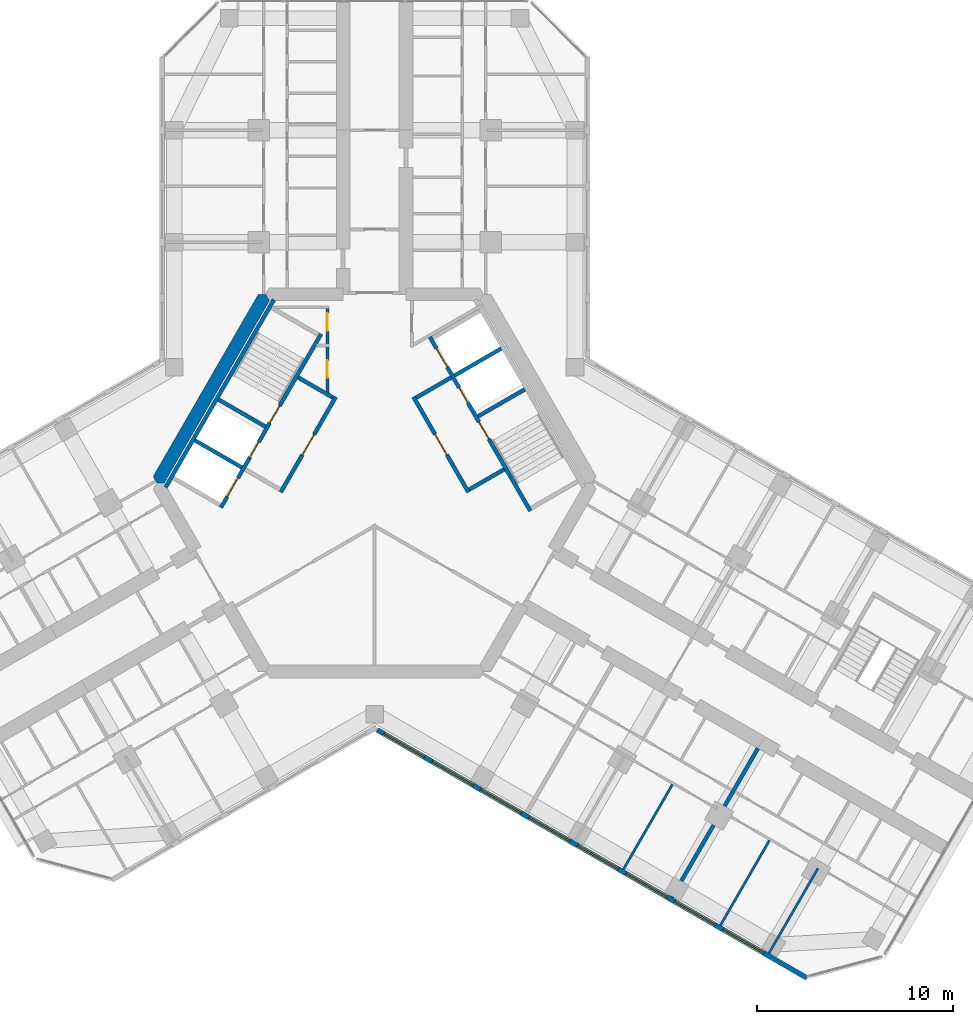
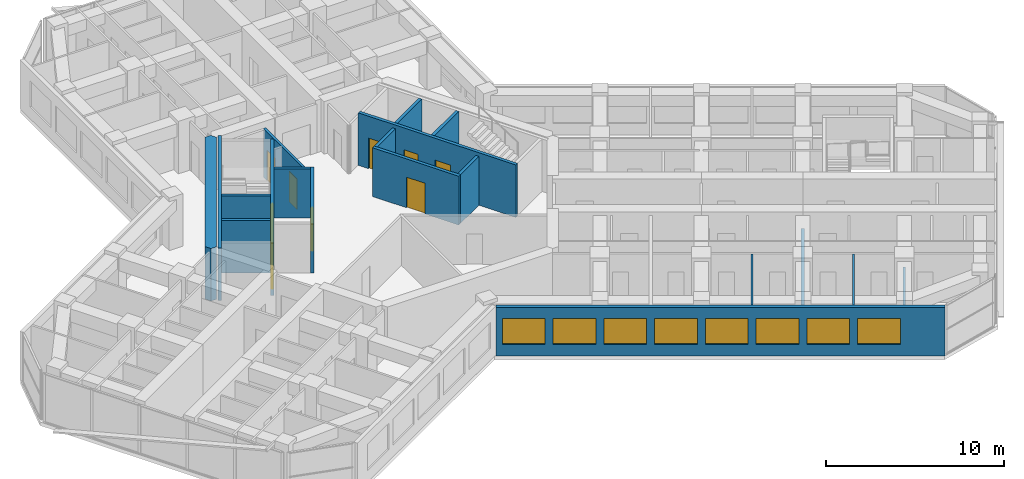
# One storey, part 10 of 16: 19 walls, 10 doors, 8 windows, 18 openings.
"""IFC4 building model written with IfcOpenShell, lengths in metres."""

import ifcopenshell
import ifcopenshell.guid

model = None  # the IFC model being written
_history = None  # IfcOwnerHistory: only IFC2X3 demands one
_inside = {}  # id of a spatial element -> (the spatial element, [elements in it])
_under = {}  # id of a project, library or spatial element -> (it, [spatial elements below it])
_declared = {}  # id of a project -> (the project, [libraries it declares])
_typed = {}  # id of a type object -> (the type object, [elements of that type])
_made_of = {}  # id of a material, layer set ... -> (it, [elements and type objects made of it])


def new_model(schema):
    """Start an empty IFC model of exactly this schema.

    Asked for "IFC4X3", IfcOpenShell would pick the latest addendum, in which some entities
    have other attributes; the version numbers below select the first issue.
    IFC2X3 requires an IfcOwnerHistory on every rooted entity: one is made here for all.
    """
    global model, _history
    if schema == "IFC4X3":
        model = ifcopenshell.file(schema_version=(4, 3, 0, 0))
    else:
        model = ifcopenshell.file(schema=schema)
    _inside.clear()
    _under.clear()
    _declared.clear()
    _typed.clear()
    _made_of.clear()
    _history = None
    if model.schema == "IFC2X3":
        org = make("IfcOrganization", Name="unknown")
        user = make(
            "IfcPersonAndOrganization",
            ThePerson=make("IfcPerson", FamilyName="unknown"),
            TheOrganization=org,
        )
        app = make(
            "IfcApplication",
            ApplicationDeveloper=org,
            Version="unknown",
            ApplicationFullName="unknown",
            ApplicationIdentifier="unknown",
        )
        _history = make(
            "IfcOwnerHistory",
            OwningUser=user,
            OwningApplication=app,
            ChangeAction="ADDED",
            CreationDate=0,
        )
    return model


def make(cls, **values):
    """One entity of the class cls with the attributes given. An attribute that is None is left unset."""
    return model.create_entity(
        cls, **{name: value for name, value in values.items() if value is not None}
    )


def rooted(cls, **values):
    """An entity with a GlobalId (a new one), such as an element, a storey or a relation."""
    return make(cls, GlobalId=ifcopenshell.guid.new(), OwnerHistory=_history, **values)


def si_unit(unit_type, name, prefix=None):
    """IfcSIUnit, for example si_unit("LENGTHUNIT", "METRE", prefix="MILLI")."""
    return make("IfcSIUnit", UnitType=unit_type, Prefix=prefix, Name=name)


def assignment(units):
    """IfcUnitAssignment: the units of a project."""
    return None if units is None else make("IfcUnitAssignment", Units=units)


def point(xyz):
    """IfcCartesianPoint."""
    return None if xyz is None else make("IfcCartesianPoint", Coordinates=xyz)


def direction(xyz):
    """IfcDirection."""
    return None if xyz is None else make("IfcDirection", DirectionRatios=xyz)


def frame(location, z_axis=None, x_axis=None):
    """IfcAxis2Placement3D, a coordinate frame: its origin and axes. An axis left out is left unset."""
    return make(
        "IfcAxis2Placement3D",
        Location=point(location),
        Axis=direction(z_axis),
        RefDirection=direction(x_axis),
    )


def frame_2d(location, x_axis=None):
    """IfcAxis2Placement2D, a coordinate frame in the plane: its origin and x axis."""
    return make(
        "IfcAxis2Placement2D", Location=point(location), RefDirection=direction(x_axis)
    )


def origin():
    """The frame at (0, 0, 0) with its axes left unset."""
    return frame((0.0, 0.0, 0.0))


def place(relative_to, where):
    """IfcLocalPlacement: puts the frame where relative to a parent placement (None: the world)."""
    return make(
        "IfcLocalPlacement", PlacementRelTo=relative_to, RelativePlacement=where
    )


def context(
    kind, dimensions, precision=None, world=None, true_north=None, identifier=None
):
    """IfcGeometricRepresentationContext, for example the 3D "Model" context."""
    return make(
        "IfcGeometricRepresentationContext",
        ContextIdentifier=identifier,
        ContextType=kind,
        CoordinateSpaceDimension=dimensions,
        Precision=precision,
        WorldCoordinateSystem=world,
        TrueNorth=true_north,
    )


def subcontext(parent, identifier, kind, view, scale=None):
    """IfcGeometricRepresentationSubContext, for example "Body" below "Model"."""
    return make(
        "IfcGeometricRepresentationSubContext",
        ContextIdentifier=identifier,
        ContextType=kind,
        ParentContext=parent,
        TargetScale=scale,
        TargetView=view,
    )


def project(units=None, contexts=None):
    """IfcProject with its units and contexts."""
    return rooted(
        "IfcProject",
        Name="project",
        RepresentationContexts=contexts,
        UnitsInContext=assignment(units),
    )


def spatial(cls, under=None, at=None, **own):
    """A site, building, storey or space (cls), placed at a placement, below another one or the project."""
    s = rooted(cls, ObjectPlacement=at, **own)
    if under is not None:
        _under.setdefault(under.id(), (under, []))[1].append(s)
    return s


def polyline(points):
    """IfcPolyline through the points."""
    return make("IfcPolyline", Points=[point(p) for p in points])


def profile(cls, at=None, kind="AREA", **sizes):
    """A parametric profile (cls). Its sizes go by their IFC names, for example OverallWidth=200.0."""
    return make(cls, ProfileType=kind, Position=at, **sizes)


def rectangle(**sizes):
    """IfcRectangleProfileDef."""
    return profile("IfcRectangleProfileDef", **sizes)


def outline(outer, holes=None, kind="AREA"):
    """IfcArbitraryClosedProfileDef: a profile drawn as a closed curve; with holes, ...WithVoids."""
    if holes is None:
        return make("IfcArbitraryClosedProfileDef", ProfileType=kind, OuterCurve=outer)
    return make(
        "IfcArbitraryProfileDefWithVoids",
        ProfileType=kind,
        OuterCurve=outer,
        InnerCurves=holes,
    )


def extrude(swept, where, along, depth):
    """IfcExtrudedAreaSolid: the profile swept, set in the frame where, extruded along a direction by depth."""
    return make(
        "IfcExtrudedAreaSolid",
        SweptArea=swept,
        Position=where,
        ExtrudedDirection=direction(along),
        Depth=depth,
    )


def shape(context_of_items, identifier, shape_type, items):
    """IfcShapeRepresentation: the items that make up one representation, for example the "Body"."""
    return make(
        "IfcShapeRepresentation",
        ContextOfItems=context_of_items,
        RepresentationIdentifier=identifier,
        RepresentationType=shape_type,
        Items=items,
    )


def material(Name=None, Category=None):
    """IfcMaterial."""
    return make("IfcMaterial", Name=Name, Category=Category)


def layer(
    of_material, thickness, ventilated=None, Name=None, Category=None, Priority=None
):
    """IfcMaterialLayer: one layer of a wall or slab, of a material (None: an air gap)."""
    return make(
        "IfcMaterialLayer",
        Material=of_material,
        LayerThickness=thickness,
        IsVentilated=ventilated,
        Name=Name,
        Category=Category,
        Priority=Priority,
    )


def layer_set(layers, Name=None):
    """IfcMaterialLayerSet."""
    return make("IfcMaterialLayerSet", MaterialLayers=layers, LayerSetName=Name)


def made_of(thing, what):
    """Note that an element or type object is made of a material, layer set ...; save() writes the relation."""
    if what is not None:
        _made_of.setdefault(what.id(), (what, []))[1].append(thing)
    return thing


def type_object(cls, material=None, **own):
    """A type object (cls), such as IfcWallType, which elements share."""
    return made_of(rooted(cls, **own), material)


def element(
    cls,
    number,
    at=None,
    inside=None,
    cuts=None,
    type_object=None,
    material=None,
    context=None,
    identifier="Body",
    shape_type=None,
    held_by="IfcProductDefinitionShape",
    body=None,
    shapes=None,
    **own,
):
    """One element of the class cls, such as IfcWall. Its Tag is "e" and its number.

    at: its placement. inside: the storey or other place that contains it. cuts: it is an
    opening in that element (IfcRelVoidsElement). A single representation is given by context,
    identifier, shape_type and body (its items); several are given by shapes. held_by: the class
    of the entity that holds the representations. save() writes the other relations.
    """
    e = rooted(cls, Tag="e%d" % number, ObjectPlacement=at, **own)
    if body is not None:
        shapes = [shape(context, identifier, shape_type, body)]
    if shapes is not None:
        e.Representation = make(held_by, Representations=shapes)
    if inside is not None:
        _inside.setdefault(inside.id(), (inside, []))[1].append(e)
    if cuts is not None:
        rooted(
            "IfcRelVoidsElement", RelatingBuildingElement=cuts, RelatedOpeningElement=e
        )
    if type_object is not None:
        _typed.setdefault(type_object.id(), (type_object, []))[1].append(e)
    return made_of(e, material)


def fill(opening, filler):
    """IfcRelFillsElement: the door or window that sits in an opening."""
    return rooted(
        "IfcRelFillsElement",
        RelatingOpeningElement=opening,
        RelatedBuildingElement=filler,
    )


def aggregate(whole, parts):
    """IfcRelAggregates: a whole, such as a stair, and the parts it consists of."""
    return rooted("IfcRelAggregates", RelatingObject=whole, RelatedObjects=parts)


def save(model, path):
    """Write the relations noted so far, then the file.

    IfcRelAggregates (storeys below a building ...), IfcRelContainedInSpatialStructure (elements
    in a storey), IfcRelDefinesByType, IfcRelAssociatesMaterial and IfcRelDeclares: one each for
    every whole, place, type object, material and project.
    """
    for whole, parts in _under.values():
        aggregate(whole, parts)
    for where, things in _inside.values():
        rooted(
            "IfcRelContainedInSpatialStructure",
            RelatedElements=things,
            RelatingStructure=where,
        )
    for kind, things in _typed.values():
        rooted("IfcRelDefinesByType", RelatedObjects=things, RelatingType=kind)
    for what, things in _made_of.values():
        rooted("IfcRelAssociatesMaterial", RelatedObjects=things, RelatingMaterial=what)
    for by, libraries in _declared.values():
        rooted("IfcRelDeclares", RelatingContext=by, RelatedDefinitions=libraries)
    model.write(path)


model = new_model("IFC4")

# Units and contexts
model_context = context("Model", 3, precision=1e-05, world=origin(), true_north=direction((0.0, 1.0)))
body_context = subcontext(model_context, "Body", "Model", "MODEL_VIEW")
ifc_project = project(units=[si_unit("LENGTHUNIT", "METRE"), si_unit("AREAUNIT", "SQUARE_METRE"), si_unit("VOLUMEUNIT", "CUBIC_METRE"), si_unit("PLANEANGLEUNIT", "RADIAN"), si_unit("MASSUNIT", "GRAM", prefix="KILO")], contexts=[model_context])

# Site, building, storey
site_placement = place(None, origin())
site = spatial("IfcSite", under=ifc_project, at=site_placement, CompositionType="ELEMENT")
building_placement = place(site_placement, origin())
building = spatial("IfcBuilding", under=site, at=building_placement, Name="Kosmar Iwan School Tower", CompositionType="ELEMENT")
storey_placement = place(building_placement, frame((0.0, 0.0, 222.60009765625)))
storey = spatial("IfcBuildingStorey", under=building, at=storey_placement, Name="L56", CompositionType="ELEMENT", Elevation=222.60009765625)

# Wall, openings, doors
ifc_material_1 = material(Name="Gypsum board on steel studs, fire-rated", Category="steel")
ifc_layer_1 = layer(ifc_material_1, 0.14990234375)
ifc_layer_set_1 = layer_set([ifc_layer_1], Name="Core room partition 150")
wall_type_1 = type_object("IfcWallType", Name="Core room partition 150", PredefinedType="PARTITIONING", material=ifc_layer_set_1)
wall_1_placement = place(storey_placement, frame((-2.39990234375, 9.014892578125, 0.0), z_axis=(0.0, 0.0, 1.0), x_axis=(0.0, -1.0, 0.0)))
wall_1 = element("IfcWall", 1, at=wall_1_placement, inside=storey, type_object=wall_type_1, Name="Core room partition L56-CW1", PredefinedType="PARTITIONING", context=body_context, shape_type="SweptSolid", body=[
    extrude(rectangle(XDim=4.484130859375, YDim=0.14990234375, at=frame_2d((2.2421875, 0.0))), origin(), (0.0, 0.0, 1.0), 3.349853515625),
])
opening_1_placement = place(wall_1_placement, frame((0.375, 0.0, 0.0)))
opening_1 = element("IfcOpeningElement", 2, at=opening_1_placement, cuts=wall_1, Name="Opening D14", PredefinedType="OPENING", context=body_context, shape_type="SweptSolid", body=[
    extrude(rectangle(XDim=0.89990234375, YDim=2.10009765625, at=frame_2d((0.449951171875, 1.050048828125))), frame((0.0, 0.0869140625, 0.0), z_axis=(0.0, -1.0, 0.0), x_axis=(1.0, 0.0, 0.0)), (0.0, 0.0, 1.0), 0.173828125),
])
opening_2_placement = place(wall_1_placement, frame((2.77490234375, 0.0, 0.0)))
opening_2 = element("IfcOpeningElement", 3, at=opening_2_placement, cuts=wall_1, Name="Opening D14", PredefinedType="OPENING", context=body_context, shape_type="SweptSolid", body=[
    extrude(rectangle(XDim=0.89990234375, YDim=2.10009765625, at=frame_2d((0.449951171875, 1.050048828125))), frame((0.0, 0.0869140625, 0.0), z_axis=(0.0, -1.0, 0.0), x_axis=(1.0, 0.0, 0.0)), (0.0, 0.0, 1.0), 0.173828125),
])
ifc_material_2 = material(Name="Timber fire door in steel frame", Category="steel")
door_type_1 = type_object("IfcDoorType", Name="Core room door 900x2100", OperationType="SINGLE_SWING_LEFT", PredefinedType="DOOR", material=ifc_material_2)
door_1_placement = place(opening_1_placement, origin())
door_1 = element("IfcDoor", 4, at=door_1_placement, inside=storey, type_object=door_type_1, Name="Electrical riser and switch room door L56 1", OperationType="SINGLE_SWING_LEFT", OverallHeight=2.10009765625, OverallWidth=0.89990234375, PredefinedType="DOOR", context=body_context, shape_type="SweptSolid", body=[
    extrude(rectangle(XDim=0.89990234375, YDim=2.10009765625, at=frame_2d((0.449951171875, 1.050048828125))), frame((0.0, 0.02490234375, 0.0), z_axis=(0.0, -1.0, 0.0), x_axis=(1.0, 0.0, 0.0)), (0.0, 0.0, 1.0), 0.050048828125),
])
fill(opening_1, door_1)
door_2_placement = place(opening_2_placement, origin())
door_2 = element("IfcDoor", 5, at=door_2_placement, inside=storey, type_object=door_type_1, Name="Plumbing and wet riser door L56 2", OperationType="SINGLE_SWING_RIGHT", OverallHeight=2.10009765625, OverallWidth=0.89990234375, PredefinedType="DOOR", context=body_context, shape_type="SweptSolid", body=[
    extrude(rectangle(XDim=0.89990234375, YDim=2.10009765625, at=frame_2d((0.449951171875, 1.050048828125))), frame((0.0, 0.02490234375, 0.0), z_axis=(0.0, -1.0, 0.0), x_axis=(1.0, 0.0, 0.0)), (0.0, 0.0, 1.0), 0.050048828125),
])
fill(opening_2, door_2)

# Walls
ifc_material_3 = material(Name="Concrete C50/60", Category="concrete")
ifc_layer_2 = layer(ifc_material_3, 0.64990234375)
ifc_layer_set_2 = layer_set([ifc_layer_2], Name="Core wall 650")
wall_type_2 = type_object("IfcWallType", Name="Core wall 650", PredefinedType="SHEAR", material=ifc_layer_set_2)
wall_2_placement = place(storey_placement, origin())
element("IfcWall", 6, at=wall_2_placement, inside=storey, type_object=wall_type_2, Name="Core wall F150", PredefinedType="SHEAR", context=body_context, shape_type="SweptSolid", body=[
    extrude(outline(polyline([(-11.085205078125, 0.0), (-10.7099609375, 0.0), (-5.35498046875, 9.27490234375), (-5.54248046875, 9.60009765625), (-5.917724609375, 9.60009765625), (-11.272705078125, 0.324951171875), (-11.085205078125, 0.0)])), origin(), (0.0, 0.0, 1.0), 3.599853515625),
])
ifc_material_4 = material(Name="Gypsum board on steel studs", Category="steel")
ifc_layer_3 = layer(ifc_material_4, 0.1201171875)
ifc_layer_set_3 = layer_set([ifc_layer_3], Name="Dwelling partition 120")
wall_type_3 = type_object("IfcWallType", Name="Dwelling partition 120", PredefinedType="PARTITIONING", material=ifc_layer_set_3)
for number, where, z_axis, x_axis, name in (
    (7, (15.158447265625, -15.344970703125, 0.0), (0.0, 0.0, 1.0), (-0.500011847778, -0.866018563358, 0.0), "Partition L56-CR2-X2"),
    (8, (20.0947265625, -18.195068359375, 0.0), (0.0, 0.0, 1.0), (-0.500011847778, -0.866018563358, 0.0), "Partition L56-CR3-X1"),
):
    element("IfcWall", number, at=place(storey_placement, frame(where, z_axis=z_axis, x_axis=x_axis)), inside=storey, type_object=wall_type_3, Name=name, PredefinedType="PARTITIONING", context=body_context, shape_type="SweptSolid", body=[
        extrude(rectangle(XDim=4.990234375, YDim=0.1201171875, at=frame_2d((2.4951171875, 0.0))), origin(), (0.0, 0.0, 1.0), 3.349853515625),
    ])
wall_3_placement = place(storey_placement, frame((22.562744140625, -19.6201171875, 0.0), z_axis=(0.0, 0.0, 1.0), x_axis=(-0.499996339024, -0.86602751744, 0.0)))
element("IfcWall", 9, at=wall_3_placement, inside=storey, type_object=wall_type_3, Name="Partition L56-CR3-X2", PredefinedType="PARTITIONING", context=body_context, shape_type="SweptSolid", body=[
    extrude(rectangle(XDim=4.98974609375, YDim=0.1201171875, at=frame_2d((2.494873046875, 0.0))), origin(), (0.0, 0.0, 1.0), 2.449951171875),
])

# Wall, openings, windows
ifc_material_5 = material(Name="Black aluminium rainscreen on insulated framing", Category="aluminium")
ifc_layer_4 = layer(ifc_material_5, 0.25)
ifc_layer_set_4 = layer_set([ifc_layer_4], Name="External wall rainscreen 250")
wall_type_4 = type_object("IfcWallType", Name="External wall rainscreen 250", PredefinedType="SOLIDWALL", material=ifc_layer_set_4)
wall_4_placement = place(storey_placement, frame((0.137939453125, -12.5791015625, 0.0), z_axis=(0.0, 0.0, 1.0), x_axis=(0.866023775649, -0.500002820003, 0.0)))
wall_4 = element("IfcWall", 10, at=wall_4_placement, inside=storey, type_object=wall_type_4, Name="External wall CR L56", PredefinedType="SOLIDWALL", context=body_context, shape_type="SweptSolid", body=[
    extrude(rectangle(XDim=25.226318359375, YDim=0.25, at=frame_2d((12.61328125, 0.0))), origin(), (0.0, 0.0, 1.0), 3.349853515625),
])
opening_3_placement = place(wall_4_placement, frame((0.365966796875, 0.0, 0.800048828125)))
opening_3 = element("IfcOpeningElement", 11, at=opening_3_placement, cuts=wall_4, Name="Opening W5", PredefinedType="OPENING", context=body_context, shape_type="SweptSolid", body=[
    extrude(rectangle(XDim=2.39990234375, YDim=1.800048828125, at=frame_2d((1.199951171875, 0.89990234375))), frame((0.0, 0.136962890625, 0.0), z_axis=(0.0, -1.0, 0.0), x_axis=(1.0, 0.0, 0.0)), (0.0, 0.0, 1.0), 0.27392578125),
])
opening_4_placement = place(wall_4_placement, frame((3.216064453125, 0.0, 0.800048828125)))
opening_4 = element("IfcOpeningElement", 12, at=opening_4_placement, cuts=wall_4, Name="Opening W5", PredefinedType="OPENING", context=body_context, shape_type="SweptSolid", body=[
    extrude(rectangle(XDim=2.39990234375, YDim=1.800048828125, at=frame_2d((1.199951171875, 0.89990234375))), frame((0.0, 0.136962890625, 0.0), z_axis=(0.0, -1.0, 0.0), x_axis=(1.0, 0.0, 0.0)), (0.0, 0.0, 1.0), 0.27392578125),
])
opening_5_placement = place(wall_4_placement, frame((6.06591796875, 0.0, 0.800048828125)))
opening_5 = element("IfcOpeningElement", 13, at=opening_5_placement, cuts=wall_4, Name="Opening W5", PredefinedType="OPENING", context=body_context, shape_type="SweptSolid", body=[
    extrude(rectangle(XDim=2.39990234375, YDim=1.800048828125, at=frame_2d((1.199951171875, 0.89990234375))), frame((0.0, 0.136962890625, 0.0), z_axis=(0.0, -1.0, 0.0), x_axis=(1.0, 0.0, 0.0)), (0.0, 0.0, 1.0), 0.27392578125),
])
opening_6_placement = place(wall_4_placement, frame((8.916015625, 0.0, 0.800048828125)))
opening_6 = element("IfcOpeningElement", 14, at=opening_6_placement, cuts=wall_4, Name="Opening W5", PredefinedType="OPENING", context=body_context, shape_type="SweptSolid", body=[
    extrude(rectangle(XDim=2.39990234375, YDim=1.800048828125, at=frame_2d((1.199951171875, 0.89990234375))), frame((0.0, 0.136962890625, 0.0), z_axis=(0.0, -1.0, 0.0), x_axis=(1.0, 0.0, 0.0)), (0.0, 0.0, 1.0), 0.27392578125),
])
opening_7_placement = place(wall_4_placement, frame((11.76611328125, 0.0, 0.800048828125)))
opening_7 = element("IfcOpeningElement", 15, at=opening_7_placement, cuts=wall_4, Name="Opening W5", PredefinedType="OPENING", context=body_context, shape_type="SweptSolid", body=[
    extrude(rectangle(XDim=2.39990234375, YDim=1.800048828125, at=frame_2d((1.199951171875, 0.89990234375))), frame((0.0, 0.136962890625, 0.0), z_axis=(0.0, -1.0, 0.0), x_axis=(1.0, 0.0, 0.0)), (0.0, 0.0, 1.0), 0.27392578125),
])
opening_8_placement = place(wall_4_placement, frame((14.615966796875, 0.0, 0.800048828125)))
opening_8 = element("IfcOpeningElement", 16, at=opening_8_placement, cuts=wall_4, Name="Opening W5", PredefinedType="OPENING", context=body_context, shape_type="SweptSolid", body=[
    extrude(rectangle(XDim=2.39990234375, YDim=1.800048828125, at=frame_2d((1.199951171875, 0.89990234375))), frame((0.0, 0.136962890625, 0.0), z_axis=(0.0, -1.0, 0.0), x_axis=(1.0, 0.0, 0.0)), (0.0, 0.0, 1.0), 0.27392578125),
])
opening_9_placement = place(wall_4_placement, frame((17.466064453125, 0.0, 0.800048828125)))
opening_9 = element("IfcOpeningElement", 17, at=opening_9_placement, cuts=wall_4, Name="Opening W5", PredefinedType="OPENING", context=body_context, shape_type="SweptSolid", body=[
    extrude(rectangle(XDim=2.39990234375, YDim=1.800048828125, at=frame_2d((1.199951171875, 0.89990234375))), frame((0.0, 0.136962890625, 0.0), z_axis=(0.0, -1.0, 0.0), x_axis=(1.0, 0.0, 0.0)), (0.0, 0.0, 1.0), 0.27392578125),
])
opening_10_placement = place(wall_4_placement, frame((20.31591796875, 0.0, 0.800048828125)))
opening_10 = element("IfcOpeningElement", 18, at=opening_10_placement, cuts=wall_4, Name="Opening W5", PredefinedType="OPENING", context=body_context, shape_type="SweptSolid", body=[
    extrude(rectangle(XDim=2.39990234375, YDim=1.800048828125, at=frame_2d((1.199951171875, 0.89990234375))), frame((0.0, 0.136962890625, 0.0), z_axis=(0.0, -1.0, 0.0), x_axis=(1.0, 0.0, 0.0)), (0.0, 0.0, 1.0), 0.27392578125),
])
ifc_material_6 = material(Name="Black aluminium frame with dark triple glazing", Category="aluminium")
window_type = type_object("IfcWindowType", Name="Window 2400x1800", PartitioningType="SINGLE_PANEL", PredefinedType="WINDOW", material=ifc_material_6)
window_1_placement = place(opening_3_placement, origin())
window_1 = element("IfcWindow", 19, at=window_1_placement, inside=storey, type_object=window_type, Name="Window CR L56 -1", OverallHeight=1.800048828125, OverallWidth=2.39990234375, PartitioningType="SINGLE_PANEL", PredefinedType="WINDOW", context=body_context, shape_type="SweptSolid", body=[
    extrude(rectangle(XDim=2.39990234375, YDim=1.800048828125, at=frame_2d((1.199951171875, 0.89990234375))), frame((0.0, 0.030029296875, 0.0), z_axis=(0.0, -1.0, 0.0), x_axis=(1.0, 0.0, 0.0)), (0.0, 0.0, 1.0), 0.06005859375),
])
fill(opening_3, window_1)
window_2_placement = place(opening_4_placement, origin())
window_2 = element("IfcWindow", 20, at=window_2_placement, inside=storey, type_object=window_type, Name="Window CR L56 0", OverallHeight=1.800048828125, OverallWidth=2.39990234375, PartitioningType="SINGLE_PANEL", PredefinedType="WINDOW", context=body_context, shape_type="SweptSolid", body=[
    extrude(rectangle(XDim=2.39990234375, YDim=1.800048828125, at=frame_2d((1.199951171875, 0.89990234375))), frame((0.0, 0.030029296875, 0.0), z_axis=(0.0, -1.0, 0.0), x_axis=(1.0, 0.0, 0.0)), (0.0, 0.0, 1.0), 0.06005859375),
])
fill(opening_4, window_2)
window_3_placement = place(opening_5_placement, origin())
window_3 = element("IfcWindow", 21, at=window_3_placement, inside=storey, type_object=window_type, Name="Window CR L56 1", OverallHeight=1.800048828125, OverallWidth=2.39990234375, PartitioningType="SINGLE_PANEL", PredefinedType="WINDOW", context=body_context, shape_type="SweptSolid", body=[
    extrude(rectangle(XDim=2.39990234375, YDim=1.800048828125, at=frame_2d((1.199951171875, 0.89990234375))), frame((0.0, 0.030029296875, 0.0), z_axis=(0.0, -1.0, 0.0), x_axis=(1.0, 0.0, 0.0)), (0.0, 0.0, 1.0), 0.06005859375),
])
fill(opening_5, window_3)
window_4_placement = place(opening_6_placement, origin())
window_4 = element("IfcWindow", 22, at=window_4_placement, inside=storey, type_object=window_type, Name="Window CR L56 2", OverallHeight=1.800048828125, OverallWidth=2.39990234375, PartitioningType="SINGLE_PANEL", PredefinedType="WINDOW", context=body_context, shape_type="SweptSolid", body=[
    extrude(rectangle(XDim=2.39990234375, YDim=1.800048828125, at=frame_2d((1.199951171875, 0.89990234375))), frame((0.0, 0.030029296875, 0.0), z_axis=(0.0, -1.0, 0.0), x_axis=(1.0, 0.0, 0.0)), (0.0, 0.0, 1.0), 0.06005859375),
])
fill(opening_6, window_4)
window_5_placement = place(opening_7_placement, origin())
window_5 = element("IfcWindow", 23, at=window_5_placement, inside=storey, type_object=window_type, Name="Window CR L56 3", OverallHeight=1.800048828125, OverallWidth=2.39990234375, PartitioningType="SINGLE_PANEL", PredefinedType="WINDOW", context=body_context, shape_type="SweptSolid", body=[
    extrude(rectangle(XDim=2.39990234375, YDim=1.800048828125, at=frame_2d((1.199951171875, 0.89990234375))), frame((0.0, 0.030029296875, 0.0), z_axis=(0.0, -1.0, 0.0), x_axis=(1.0, 0.0, 0.0)), (0.0, 0.0, 1.0), 0.06005859375),
])
fill(opening_7, window_5)
window_6_placement = place(opening_8_placement, origin())
window_6 = element("IfcWindow", 24, at=window_6_placement, inside=storey, type_object=window_type, Name="Window CR L56 4", OverallHeight=1.800048828125, OverallWidth=2.39990234375, PartitioningType="SINGLE_PANEL", PredefinedType="WINDOW", context=body_context, shape_type="SweptSolid", body=[
    extrude(rectangle(XDim=2.39990234375, YDim=1.800048828125, at=frame_2d((1.199951171875, 0.89990234375))), frame((0.0, 0.030029296875, 0.0), z_axis=(0.0, -1.0, 0.0), x_axis=(1.0, 0.0, 0.0)), (0.0, 0.0, 1.0), 0.06005859375),
])
fill(opening_8, window_6)
window_7_placement = place(opening_9_placement, origin())
window_7 = element("IfcWindow", 25, at=window_7_placement, inside=storey, type_object=window_type, Name="Window CR L56 5", OverallHeight=1.800048828125, OverallWidth=2.39990234375, PartitioningType="SINGLE_PANEL", PredefinedType="WINDOW", context=body_context, shape_type="SweptSolid", body=[
    extrude(rectangle(XDim=2.39990234375, YDim=1.800048828125, at=frame_2d((1.199951171875, 0.89990234375))), frame((0.0, 0.030029296875, 0.0), z_axis=(0.0, -1.0, 0.0), x_axis=(1.0, 0.0, 0.0)), (0.0, 0.0, 1.0), 0.06005859375),
])
fill(opening_9, window_7)
window_8_placement = place(opening_10_placement, origin())
window_8 = element("IfcWindow", 26, at=window_8_placement, inside=storey, type_object=window_type, Name="Window CR L56 6", OverallHeight=1.800048828125, OverallWidth=2.39990234375, PartitioningType="SINGLE_PANEL", PredefinedType="WINDOW", context=body_context, shape_type="SweptSolid", body=[
    extrude(rectangle(XDim=2.39990234375, YDim=1.800048828125, at=frame_2d((1.199951171875, 0.89990234375))), frame((0.0, 0.030029296875, 0.0), z_axis=(0.0, -1.0, 0.0), x_axis=(1.0, 0.0, 0.0)), (0.0, 0.0, 1.0), 0.06005859375),
])
fill(opening_10, window_8)

# Wall, opening, door
ifc_material_7 = material(Name="Concrete block masonry", Category="masonry")
ifc_layer_5 = layer(ifc_material_7, 0.199951171875)
ifc_layer_set_5 = layer_set([ifc_layer_5], Name="Fire lobby wall 200")
wall_type_5 = type_object("IfcWallType", Name="Fire lobby wall 200", PredefinedType="PARTITIONING", material=ifc_layer_set_5)
wall_5_placement = place(storey_placement, frame((-1.9775390625, 4.374755859375, 0.0), z_axis=(0.0, 0.0, 1.0), x_axis=(-0.500016814911, -0.866015695474, 0.0)))
wall_5 = element("IfcWall", 27, at=wall_5_placement, inside=storey, type_object=wall_type_5, Name="Firefighting lobby wall ST2", PredefinedType="PARTITIONING", context=body_context, shape_type="SweptSolid", body=[
    extrude(rectangle(XDim=5.599853515625, YDim=0.199951171875, at=frame_2d((2.7998046875, 0.0))), origin(), (0.0, 0.0, 1.0), 3.349853515625),
])
opening_11_placement = place(wall_5_placement, frame((2.199951171875, 0.0, 0.0)))
opening_11 = element("IfcOpeningElement", 28, at=opening_11_placement, cuts=wall_5, Name="Opening D7", PredefinedType="OPENING", context=body_context, shape_type="SweptSolid", body=[
    extrude(rectangle(XDim=1.199951171875, YDim=2.10009765625, at=frame_2d((0.60009765625, 1.050048828125))), frame((0.0, 0.112060546875, 0.0), z_axis=(0.0, -1.0, 0.0), x_axis=(1.0, 0.0, 0.0)), (0.0, 0.0, 1.0), 0.223876953125),
])
ifc_material_8 = material(Name="Steel fire door", Category="steel")
door_type_2 = type_object("IfcDoorType", Name="Fire lobby door 1200x2100", OperationType="SINGLE_SWING_LEFT", PredefinedType="DOOR", material=ifc_material_8)
door_3_placement = place(opening_11_placement, origin())
door_3 = element("IfcDoor", 29, at=door_3_placement, inside=storey, type_object=door_type_2, Name="Firefighting lobby door ST2 L56", OperationType="SINGLE_SWING_RIGHT", OverallHeight=2.10009765625, OverallWidth=1.199951171875, PredefinedType="DOOR", context=body_context, shape_type="SweptSolid", body=[
    extrude(rectangle(XDim=1.199951171875, YDim=2.10009765625, at=frame_2d((0.60009765625, 1.050048828125))), frame((0.0, 0.02490234375, 0.0), z_axis=(0.0, -1.0, 0.0), x_axis=(1.0, 0.0, 0.0)), (0.0, 0.0, 1.0), 0.050048828125),
])
fill(opening_11, door_3)

# Wall
wall_6_placement = place(storey_placement, frame((-2.114013671875, 4.33837890625, 0.0), z_axis=(0.0, 0.0, 1.0), x_axis=(-0.866050731258, 0.499956128963, 0.0)))
element("IfcWall", 30, at=wall_6_placement, inside=storey, type_object=wall_type_5, Name="Firefighting lobby wall ST2", PredefinedType="PARTITIONING", context=body_context, shape_type="SweptSolid", body=[
    extrude(rectangle(XDim=2.050048828125, YDim=0.199951171875, at=frame_2d((1.02490234375, 0.0))), origin(), (0.0, 0.0, 1.0), 3.349853515625),
])

# Wall, opening, door
wall_7_placement = place(storey_placement, frame((4.777587890625, -0.474853515625, 0.0), z_axis=(0.0, 0.0, 1.0), x_axis=(-0.500016814911, 0.866015695474, 0.0)))
wall_7 = element("IfcWall", 31, at=wall_7_placement, inside=storey, type_object=wall_type_5, Name="Firefighting lobby wall ST1", PredefinedType="PARTITIONING", context=body_context, shape_type="SweptSolid", body=[
    extrude(rectangle(XDim=5.599853515625, YDim=0.199951171875, at=frame_2d((2.7998046875, 0.0))), origin(), (0.0, 0.0, 1.0), 3.349853515625),
])
opening_12_placement = place(wall_7_placement, frame((2.199951171875, 0.0, 0.0)))
opening_12 = element("IfcOpeningElement", 32, at=opening_12_placement, cuts=wall_7, Name="Opening D7", PredefinedType="OPENING", context=body_context, shape_type="SweptSolid", body=[
    extrude(rectangle(XDim=1.199951171875, YDim=2.10009765625, at=frame_2d((0.60009765625, 1.050048828125))), frame((0.0, 0.112060546875, 0.0), z_axis=(0.0, -1.0, 0.0), x_axis=(1.0, 0.0, 0.0)), (0.0, 0.0, 1.0), 0.223876953125),
])
door_4_placement = place(opening_12_placement, origin())
door_4 = element("IfcDoor", 33, at=door_4_placement, inside=storey, type_object=door_type_2, Name="Firefighting lobby door ST1 L56", OperationType="SINGLE_SWING_RIGHT", OverallHeight=2.10009765625, OverallWidth=1.199951171875, PredefinedType="DOOR", context=body_context, shape_type="SweptSolid", body=[
    extrude(rectangle(XDim=1.199951171875, YDim=2.10009765625, at=frame_2d((0.60009765625, 1.050048828125))), frame((0.0, 0.02490234375, 0.0), z_axis=(0.0, -1.0, 0.0), x_axis=(1.0, 0.0, 0.0)), (0.0, 0.0, 1.0), 0.050048828125),
])
fill(opening_12, door_4)

# Walls
wall_8_placement = place(storey_placement, frame((4.814208984375, -0.33837890625, 0.0), z_axis=(0.0, 0.0, 1.0), x_axis=(0.865969381856, 0.500097020274, 0.0)))
element("IfcWall", 34, at=wall_8_placement, inside=storey, type_object=wall_type_5, Name="Firefighting lobby wall ST1", PredefinedType="PARTITIONING", context=body_context, shape_type="SweptSolid", body=[
    extrude(rectangle(XDim=2.0498046875, YDim=0.199951171875, at=frame_2d((1.02490234375, 0.0))), origin(), (0.0, 0.0, 1.0), 3.349853515625),
])
wall_9_placement = place(storey_placement, frame((2.114013671875, 4.33837890625, 0.0), z_axis=(0.0, 0.0, 1.0), x_axis=(0.866050731258, 0.499956128963, 0.0)))
element("IfcWall", 35, at=wall_9_placement, inside=storey, type_object=wall_type_5, Name="Firefighting lobby wall ST1", PredefinedType="PARTITIONING", context=body_context, shape_type="SweptSolid", body=[
    extrude(rectangle(XDim=2.050048828125, YDim=0.199951171875, at=frame_2d((1.02490234375, 0.0))), origin(), (0.0, 0.0, 1.0), 3.349853515625),
])

# Wall, openings, doors
ifc_material_9 = material(Name="Concrete C50/60", Category="concrete")
ifc_layer_6 = layer(ifc_material_9, 0.199951171875)
ifc_layer_set_6 = layer_set([ifc_layer_6], Name="Lift shaft wall 200")
wall_type_6 = type_object("IfcWallType", Name="Lift shaft wall 200", PredefinedType="SHEAR", material=ifc_layer_set_6)
wall_10_placement = place(storey_placement, frame((-2.72607421875, 7.578369140625, 0.0), z_axis=(0.0, 0.0, 1.0), x_axis=(-0.500005610874, -0.86602216432, 0.0)))
wall_10 = element("IfcWall", 36, at=wall_10_placement, inside=storey, type_object=wall_type_6, Name="Lift and stair front wall AB", PredefinedType="SHEAR", context=body_context, shape_type="SweptSolid", body=[
    extrude(rectangle(XDim=10.2001953125, YDim=0.199951171875, at=frame_2d((5.10009765625, 0.0))), origin(), (0.0, 0.0, 1.0), 3.599853515625),
])
opening_13_placement = place(wall_10_placement, frame((6.35009765625, 0.0, 0.0)))
opening_13 = element("IfcOpeningElement", 37, at=opening_13_placement, cuts=wall_10, Name="Opening LD2", PredefinedType="OPENING", context=body_context, shape_type="SweptSolid", body=[
    extrude(rectangle(XDim=0.89990234375, YDim=2.10009765625, at=frame_2d((0.449951171875, 1.050048828125))), frame((0.0, 0.112060546875, 0.0), z_axis=(0.0, -1.0, 0.0), x_axis=(1.0, 0.0, 0.0)), (0.0, 0.0, 1.0), 0.223876953125),
])
opening_14_placement = place(wall_10_placement, frame((8.449951171875, 0.0, 0.0)))
opening_14 = element("IfcOpeningElement", 38, at=opening_14_placement, cuts=wall_10, Name="Opening LD1", PredefinedType="OPENING", context=body_context, shape_type="SweptSolid", body=[
    extrude(rectangle(XDim=1.10009765625, YDim=2.10009765625, at=frame_2d((0.550048828125, 1.050048828125))), frame((0.0, 0.112060546875, 0.0), z_axis=(0.0, -1.0, 0.0), x_axis=(1.0, 0.0, 0.0)), (0.0, 0.0, 1.0), 0.223876953125),
])
opening_15_placement = place(wall_10_placement, frame((4.22998046875, 0.0, 0.0)))
opening_15 = element("IfcOpeningElement", 39, at=opening_15_placement, cuts=wall_10, Name="Opening D6", PredefinedType="OPENING", context=body_context, shape_type="SweptSolid", body=[
    extrude(rectangle(XDim=1.0, YDim=2.10009765625, at=frame_2d((0.5, 1.050048828125))), frame((0.0, 0.112060546875, 0.0), z_axis=(0.0, -1.0, 0.0), x_axis=(1.0, 0.0, 0.0)), (0.0, 0.0, 1.0), 0.223876953125),
])
ifc_material_10 = material(Name="Stainless steel sliding lift door", Category="steel")
door_type_3 = type_object("IfcDoorType", Name="Firefighting lift landing door 900x2100", OperationType="SLIDING_TO_LEFT", PredefinedType="DOOR", material=ifc_material_10)
door_5_placement = place(opening_13_placement, origin())
door_5 = element("IfcDoor", 40, at=door_5_placement, inside=storey, type_object=door_type_3, Name="Lift FF2 landing door L56", OperationType="SLIDING_TO_LEFT", OverallHeight=2.10009765625, OverallWidth=0.89990234375, PredefinedType="DOOR", context=body_context, shape_type="SweptSolid", body=[
    extrude(rectangle(XDim=0.89990234375, YDim=2.10009765625, at=frame_2d((0.449951171875, 1.050048828125))), frame((0.0, 0.02490234375, 0.0), z_axis=(0.0, -1.0, 0.0), x_axis=(1.0, 0.0, 0.0)), (0.0, 0.0, 1.0), 0.050048828125),
])
fill(opening_13, door_5)
ifc_material_11 = material(Name="Stainless steel sliding lift door", Category="steel")
door_type_4 = type_object("IfcDoorType", Name="Lift landing door 1100x2100", OperationType="SLIDING_TO_LEFT", PredefinedType="DOOR", material=ifc_material_11)
door_6_placement = place(opening_14_placement, origin())
door_6 = element("IfcDoor", 41, at=door_6_placement, inside=storey, type_object=door_type_4, Name="Lift PL6 landing door L56", OperationType="SLIDING_TO_LEFT", OverallHeight=2.10009765625, OverallWidth=1.10009765625, PredefinedType="DOOR", context=body_context, shape_type="SweptSolid", body=[
    extrude(rectangle(XDim=1.10009765625, YDim=2.10009765625, at=frame_2d((0.550048828125, 1.050048828125))), frame((0.0, 0.02490234375, 0.0), z_axis=(0.0, -1.0, 0.0), x_axis=(1.0, 0.0, 0.0)), (0.0, 0.0, 1.0), 0.050048828125),
])
fill(opening_14, door_6)
ifc_material_12 = material(Name="Steel fire door", Category="steel")
door_type_5 = type_object("IfcDoorType", Name="Stair door 1000x2100", OperationType="SINGLE_SWING_LEFT", PredefinedType="DOOR", material=ifc_material_12)
door_7_placement = place(opening_15_placement, origin())
door_7 = element("IfcDoor", 42, at=door_7_placement, inside=storey, type_object=door_type_5, Name="Stair ST2 door L56", OperationType="SINGLE_SWING_LEFT", OverallHeight=2.10009765625, OverallWidth=1.0, PredefinedType="DOOR", context=body_context, shape_type="SweptSolid", body=[
    extrude(rectangle(XDim=1.0, YDim=2.10009765625, at=frame_2d((0.5, 1.050048828125))), frame((0.0, 0.02490234375, 0.0), z_axis=(0.0, -1.0, 0.0), x_axis=(1.0, 0.0, 0.0)), (0.0, 0.0, 1.0), 0.050048828125),
])
fill(opening_15, door_7)

# Walls
wall_11_placement = place(storey_placement, frame((-5.1240234375, 9.324951171875, 0.0), z_axis=(0.0, 0.0, 1.0), x_axis=(-0.49999650507, -0.866027421574, 0.0)))
element("IfcWall", 43, at=wall_11_placement, inside=storey, type_object=wall_type_6, Name="Lift and stair back wall AB", PredefinedType="SHEAR", context=body_context, shape_type="SweptSolid", body=[
    extrude(rectangle(XDim=11.02734375, YDim=0.199951171875, at=frame_2d((5.513671875, 0.0))), origin(), (0.0, 0.0, 1.0), 3.599853515625),
])
wall_12_placement = place(storey_placement, frame((-6.7626953125, 0.78662109375, 0.0), z_axis=(0.0, 0.0, 1.0), x_axis=(-0.866027397988, 0.499996545922, 0.0)))
element("IfcWall", 44, at=wall_12_placement, inside=storey, type_object=wall_type_6, Name="Lift shaft wall AB 1", PredefinedType="SHEAR", context=body_context, shape_type="SweptSolid", body=[
    extrude(rectangle(XDim=2.75, YDim=0.199951171875, at=frame_2d((1.375, 0.0))), origin(), (0.0, 0.0, 1.0), 3.599853515625),
])

# Wall, openings, doors
wall_13_placement = place(storey_placement, frame((7.926025390625, -1.42822265625, 0.0), z_axis=(0.0, 0.0, 1.0), x_axis=(-0.50000905659, 0.866020174897, 0.0)))
wall_13 = element("IfcWall", 45, at=wall_13_placement, inside=storey, type_object=wall_type_6, Name="Lift and stair front wall AC", PredefinedType="SHEAR", context=body_context, shape_type="SweptSolid", body=[
    extrude(rectangle(XDim=10.224853515625, YDim=0.199951171875, at=frame_2d((5.1123046875, 0.0))), origin(), (0.0, 0.0, 1.0), 3.599853515625),
])
opening_16_placement = place(wall_13_placement, frame((6.35009765625, 0.0, 0.0)))
opening_16 = element("IfcOpeningElement", 46, at=opening_16_placement, cuts=wall_13, Name="Opening LD2", PredefinedType="OPENING", context=body_context, shape_type="SweptSolid", body=[
    extrude(rectangle(XDim=0.89990234375, YDim=2.10009765625, at=frame_2d((0.449951171875, 1.050048828125))), frame((0.0, 0.112060546875, 0.0), z_axis=(0.0, -1.0, 0.0), x_axis=(1.0, 0.0, 0.0)), (0.0, 0.0, 1.0), 0.223876953125),
])
opening_17_placement = place(wall_13_placement, frame((8.449951171875, 0.0, 0.0)))
opening_17 = element("IfcOpeningElement", 47, at=opening_17_placement, cuts=wall_13, Name="Opening LD1", PredefinedType="OPENING", context=body_context, shape_type="SweptSolid", body=[
    extrude(rectangle(XDim=1.10009765625, YDim=2.10009765625, at=frame_2d((0.550048828125, 1.050048828125))), frame((0.0, 0.112060546875, 0.0), z_axis=(0.0, -1.0, 0.0), x_axis=(1.0, 0.0, 0.0)), (0.0, 0.0, 1.0), 0.223876953125),
])
opening_18_placement = place(wall_13_placement, frame((4.22998046875, 0.0, 0.0)))
opening_18 = element("IfcOpeningElement", 48, at=opening_18_placement, cuts=wall_13, Name="Opening D6", PredefinedType="OPENING", context=body_context, shape_type="SweptSolid", body=[
    extrude(rectangle(XDim=1.0, YDim=2.10009765625, at=frame_2d((0.5, 1.050048828125))), frame((0.0, 0.112060546875, 0.0), z_axis=(0.0, -1.0, 0.0), x_axis=(1.0, 0.0, 0.0)), (0.0, 0.0, 1.0), 0.223876953125),
])
door_8_placement = place(opening_16_placement, origin())
door_8 = element("IfcDoor", 49, at=door_8_placement, inside=storey, type_object=door_type_3, Name="Lift FF1 landing door L56", OperationType="SLIDING_TO_LEFT", OverallHeight=2.10009765625, OverallWidth=0.89990234375, PredefinedType="DOOR", context=body_context, shape_type="SweptSolid", body=[
    extrude(rectangle(XDim=0.89990234375, YDim=2.10009765625, at=frame_2d((0.449951171875, 1.050048828125))), frame((0.0, 0.02490234375, 0.0), z_axis=(0.0, -1.0, 0.0), x_axis=(1.0, 0.0, 0.0)), (0.0, 0.0, 1.0), 0.050048828125),
])
fill(opening_16, door_8)
door_9_placement = place(opening_17_placement, origin())
door_9 = element("IfcDoor", 50, at=door_9_placement, inside=storey, type_object=door_type_4, Name="Lift PL5 landing door L56", OperationType="SLIDING_TO_LEFT", OverallHeight=2.10009765625, OverallWidth=1.10009765625, PredefinedType="DOOR", context=body_context, shape_type="SweptSolid", body=[
    extrude(rectangle(XDim=1.10009765625, YDim=2.10009765625, at=frame_2d((0.550048828125, 1.050048828125))), frame((0.0, 0.02490234375, 0.0), z_axis=(0.0, -1.0, 0.0), x_axis=(1.0, 0.0, 0.0)), (0.0, 0.0, 1.0), 0.050048828125),
])
fill(opening_17, door_9)
door_10_placement = place(opening_18_placement, origin())
door_10 = element("IfcDoor", 51, at=door_10_placement, inside=storey, type_object=door_type_5, Name="Stair ST1 door L56", OperationType="SINGLE_SWING_LEFT", OverallHeight=2.10009765625, OverallWidth=1.0, PredefinedType="DOOR", context=body_context, shape_type="SweptSolid", body=[
    extrude(rectangle(XDim=1.0, YDim=2.10009765625, at=frame_2d((0.5, 1.050048828125))), frame((0.0, 0.02490234375, 0.0), z_axis=(0.0, -1.0, 0.0), x_axis=(1.0, 0.0, 0.0)), (0.0, 0.0, 1.0), 0.050048828125),
])
fill(opening_18, door_10)

# Walls
wall_14_placement = place(storey_placement, frame((4.062744140625, 5.46337890625, 0.0), z_axis=(0.0, 0.0, 1.0), x_axis=(0.866027397988, 0.499996545922, 0.0)))
element("IfcWall", 52, at=wall_14_placement, inside=storey, type_object=wall_type_6, Name="Lift shaft wall AC 1", PredefinedType="SHEAR", context=body_context, shape_type="SweptSolid", body=[
    extrude(rectangle(XDim=2.75, YDim=0.199951171875, at=frame_2d((1.375, 0.0))), origin(), (0.0, 0.0, 1.0), 3.599853515625),
])
ifc_material_13 = material(Name="Concrete block masonry", Category="masonry")
ifc_layer_7 = layer(ifc_material_13, 0.199951171875)
ifc_layer_set_7 = layer_set([ifc_layer_7], Name="Party wall 200")
wall_type_7 = type_object("IfcWallType", Name="Party wall 200", PredefinedType="PARTITIONING", material=ifc_layer_set_7)
wall_15_placement = place(storey_placement, frame((19.506591796875, -13.513671875, 0.0), z_axis=(0.0, 0.0, 1.0), x_axis=(-0.499992152613, -0.866029934428, 0.0)))
element("IfcWall", 53, at=wall_15_placement, inside=storey, type_object=wall_type_7, Name="Partition L56-CR3-PW", PredefinedType="PARTITIONING", context=body_context, shape_type="SweptSolid", body=[
    extrude(rectangle(XDim=8.750244140625, YDim=0.199951171875, at=frame_2d((4.375, 0.0))), origin(), (0.0, 0.0, 1.0), 2.449951171875),
])
ifc_material_14 = material(Name="Concrete C50/60", Category="concrete")
ifc_layer_8 = layer(ifc_material_14, 0.199951171875)
ifc_layer_set_8 = layer_set([ifc_layer_8], Name="Stair enclosure wall 200")
wall_type_8 = type_object("IfcWallType", Name="Stair enclosure wall 200", PredefinedType="SHEAR", material=ifc_layer_set_8)
for number, where, z_axis, x_axis, name in (
    (54, (-5.562744140625, 2.865234375, 0.0), (0.0, 0.0, 1.0), (-0.866027397988, 0.499996545922, 0.0), "Stair ST2 wall"),
    (55, (5.2626953125, 3.384765625, 0.0), (0.0, 0.0, 1.0), (0.866027397988, 0.499996545922, 0.0), "Stair ST1 wall"),
):
    element("IfcWall", number, at=place(storey_placement, frame(where, z_axis=z_axis, x_axis=x_axis)), inside=storey, type_object=wall_type_8, Name=name, PredefinedType="SHEAR", context=body_context, shape_type="SweptSolid", body=[
        extrude(rectangle(XDim=2.75, YDim=0.199951171875, at=frame_2d((1.375, 0.0))), origin(), (0.0, 0.0, 1.0), 3.599853515625),
    ])

save(model, "model.ifc")
